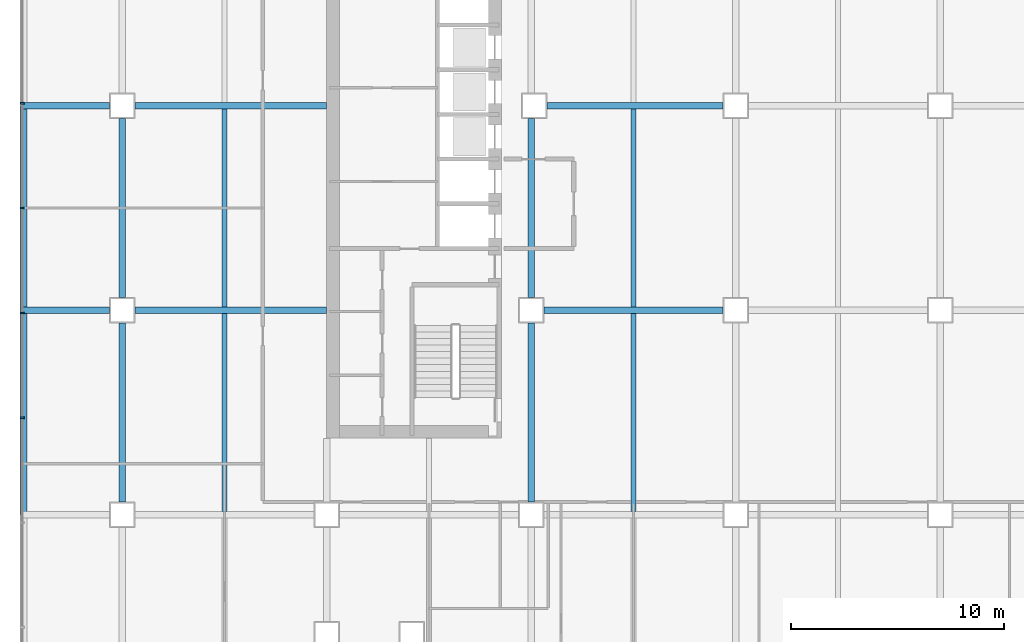
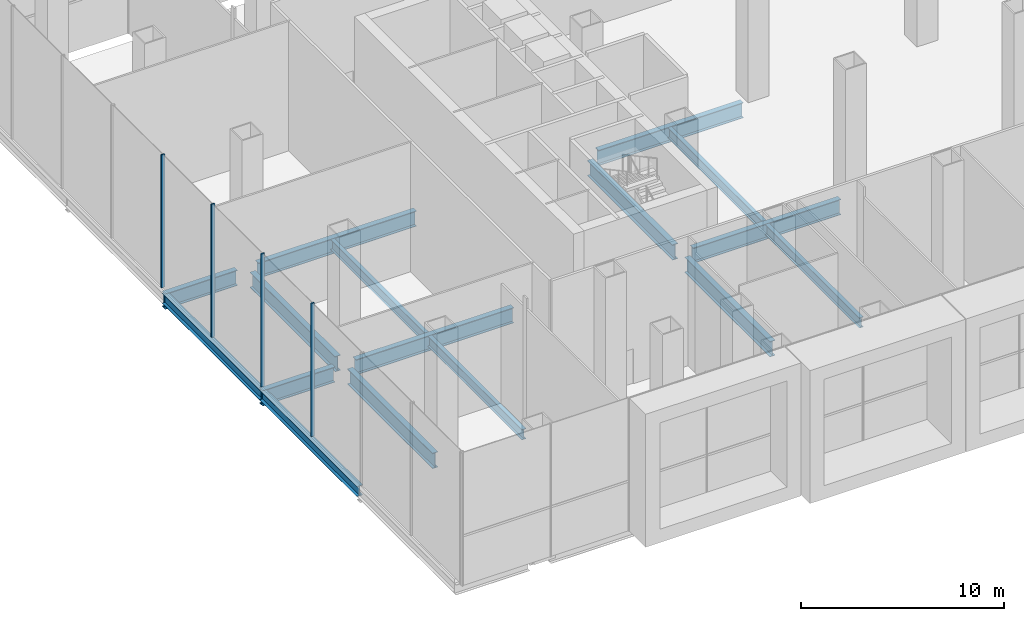
# One storey, part 4 of 24: 16 beams, 4 members, 1 element without a shape of its own.
"""IFC4 building model written with IfcOpenShell, lengths in metres."""

from ifc_helpers import new_model, si_unit, direction, frame, origin, origin_2d, place, context, subcontext, project, spatial, rectangle, i_section, extrude, material, material_profile, profile_set, type_object, element, aggregate, save


model = new_model("IFC4")

# Units and contexts
model_context = context("Model", 3, precision=1e-05, world=origin(), true_north=direction((0.0, 1.0)))
body_context = subcontext(model_context, "Body", "Model", "MODEL_VIEW")
ifc_project = project(units=[si_unit("LENGTHUNIT", "METRE"), si_unit("AREAUNIT", "SQUARE_METRE"), si_unit("VOLUMEUNIT", "CUBIC_METRE"), si_unit("PLANEANGLEUNIT", "RADIAN"), si_unit("MASSUNIT", "GRAM", prefix="KILO")], contexts=[model_context])

# Site, building, storey
site_placement = place(None, origin())
site = spatial("IfcSite", under=ifc_project, at=site_placement, CompositionType="ELEMENT")
building_placement = place(site_placement, origin())
building = spatial("IfcBuilding", under=site, at=building_placement, Name="Cobrizo Arcos Hotel Tower", CompositionType="ELEMENT")
storey_placement = place(building_placement, frame((0.0, 0.0, 7.5)))
storey = spatial("IfcBuildingStorey", under=building, at=storey_placement, Name="L01", CompositionType="ELEMENT", Elevation=7.5)

# Curtain wall, members
ifc_material_1 = material(Name="Aluminium 6063-T6 anodised bronze", Category="aluminium")
curtain_wall_type = type_object("IfcCurtainWallType", Name="CW-B podium glazing", PredefinedType="NOTDEFINED", material=ifc_material_1)
curtain_wall_placement = place(storey_placement, origin())
curtain_wall = element("IfcCurtainWall", 1, at=curtain_wall_placement, inside=storey, type_object=curtain_wall_type, Name="CW-B L01 W face", PredefinedType="NOTDEFINED")
ifc_material_profile_1 = material_profile(ifc_material_1, rectangle(XDim=0.199951171875, YDim=0.080078125, at=origin_2d()), Name="CW-B mullion 200x80")
ifc_profile_set_1 = profile_set([ifc_material_profile_1], Name="Aluminium 6063-T6 anodised bronze")
member_type = type_object("IfcMemberType", Name="CW-B mullion 200x80", PredefinedType="MULLION", material=ifc_profile_set_1)
member_1_placement = place(storey_placement, frame((-38.300048828125, 4.919921875, 0.0), z_axis=(0.0, 0.0, 1.0), x_axis=(-1.0, 0.0, 0.0)))
member_1 = element("IfcMember", 2, at=member_1_placement, type_object=member_type, Name="CW-B mullion 5", PredefinedType="MULLION", context=body_context, shape_type="SweptSolid", body=[
    extrude(rectangle(XDim=0.199951171875, YDim=0.080078125, at=origin_2d()), origin(), (0.0, 0.0, 1.0), 8.0),
])
member_2_placement = place(storey_placement, frame((-38.300048828125, 0.0, 0.0), z_axis=(0.0, 0.0, 1.0), x_axis=(-1.0, 0.0, 0.0)))
member_2 = element("IfcMember", 3, at=member_2_placement, type_object=member_type, Name="CW-B mullion 6", PredefinedType="MULLION", context=body_context, shape_type="SweptSolid", body=[
    extrude(rectangle(XDim=0.199951171875, YDim=0.080078125, at=origin_2d()), origin(), (0.0, 0.0, 1.0), 8.0),
])
member_3_placement = place(storey_placement, frame((-38.300048828125, -4.919921875, 0.0), z_axis=(0.0, 0.0, 1.0), x_axis=(-1.0, 0.0, 0.0)))
member_3 = element("IfcMember", 4, at=member_3_placement, type_object=member_type, Name="CW-B mullion 7", PredefinedType="MULLION", context=body_context, shape_type="SweptSolid", body=[
    extrude(rectangle(XDim=0.199951171875, YDim=0.080078125, at=origin_2d()), origin(), (0.0, 0.0, 1.0), 8.0),
])
member_4_placement = place(storey_placement, frame((-38.300048828125, -9.840087890625, 0.0), z_axis=(0.0, 0.0, 1.0), x_axis=(-1.0, 0.0, 0.0)))
member_4 = element("IfcMember", 5, at=member_4_placement, type_object=member_type, Name="CW-B mullion 8", PredefinedType="MULLION", context=body_context, shape_type="SweptSolid", body=[
    extrude(rectangle(XDim=0.199951171875, YDim=0.080078125, at=origin_2d()), origin(), (0.0, 0.0, 1.0), 8.0),
])
aggregate(curtain_wall, [member_1, member_2, member_3, member_4])

# Beams
ifc_material_2 = material(Name="Steel ASTM A992 Grade 50", Category="steel")
ifc_material_profile_2 = material_profile(ifc_material_2, i_section(OverallWidth=0.32763671875, OverallDepth=0.622314453125, WebThickness=0.015380859375, FlangeThickness=0.0244140625, at=origin_2d()), Name="W24X131")
ifc_profile_set_2 = profile_set([ifc_material_profile_2], Name="Steel ASTM A992 Grade 50")
beam_type_1 = type_object("IfcBeamType", Name="W24X131 edge beam", PredefinedType="BEAM", material=ifc_profile_set_2)
beam_1_placement = place(storey_placement, frame((-38.236083984375, 4.800048828125, -0.56103515625), z_axis=(0.0, -1.0, 0.0), x_axis=(1.0, 0.0, 0.0)))
element("IfcBeam", 6, at=beam_1_placement, inside=storey, type_object=beam_type_1, Name="Edge beam EB1, L01, no. 010", PredefinedType="BEAM", context=body_context, shape_type="SweptSolid", body=[
    extrude(i_section(OverallWidth=0.32763671875, OverallDepth=0.622314453125, WebThickness=0.015380859375, FlangeThickness=0.0244140625, at=origin_2d()), origin(), (0.0, 0.0, 1.0), 9.60009765625),
])
beam_2_placement = place(storey_placement, frame((-38.236083984375, -4.800048828125, -0.56103515625), z_axis=(0.0, -1.0, 0.0), x_axis=(1.0, 0.0, 0.0)))
element("IfcBeam", 7, at=beam_2_placement, inside=storey, type_object=beam_type_1, Name="Edge beam EB1, L01, no. 011", PredefinedType="BEAM", context=body_context, shape_type="SweptSolid", body=[
    extrude(i_section(OverallWidth=0.32763671875, OverallDepth=0.622314453125, WebThickness=0.015380859375, FlangeThickness=0.0244140625, at=origin_2d()), origin(), (0.0, 0.0, 1.0), 9.599853515625),
])
ifc_material_profile_3 = material_profile(ifc_material_2, i_section(OverallWidth=0.23046875, OverallDepth=0.6171875, WebThickness=0.01318359375, FlangeThickness=0.022216796875, at=origin_2d()), Name="W24X94")
ifc_profile_set_3 = profile_set([ifc_material_profile_3], Name="Steel ASTM A992 Grade 50")
beam_type_2 = type_object("IfcBeamType", Name="W24X94 podium joist", PredefinedType="JOIST", material=ifc_profile_set_3)
beam_3_placement = place(storey_placement, frame((-28.800048828125, -14.246337890625, -0.55859375), z_axis=(0.0, 1.0, 0.0), x_axis=(-1.0, 0.0, 0.0)))
element("IfcBeam", 8, at=beam_3_placement, inside=storey, type_object=beam_type_2, Name="Podium joist PJ1, L01, no. 002", PredefinedType="JOIST", context=body_context, shape_type="SweptSolid", body=[
    extrude(i_section(OverallWidth=0.23046875, OverallDepth=0.6171875, WebThickness=0.01318359375, FlangeThickness=0.022216796875, at=origin_2d()), origin(), (0.0, 0.0, 1.0), 9.292724609375),
])
beam_4_placement = place(storey_placement, frame((-28.800048828125, -4.646240234375, -0.55859375), z_axis=(0.0, 1.0, 0.0), x_axis=(-1.0, 0.0, 0.0)))
element("IfcBeam", 9, at=beam_4_placement, inside=storey, type_object=beam_type_2, Name="Podium joist PJ1, L01, no. 003", PredefinedType="JOIST", context=body_context, shape_type="SweptSolid", body=[
    extrude(i_section(OverallWidth=0.23046875, OverallDepth=0.6171875, WebThickness=0.01318359375, FlangeThickness=0.022216796875, at=origin_2d()), origin(), (0.0, 0.0, 1.0), 9.29248046875),
])
beam_5_placement = place(storey_placement, frame((-9.60009765625, -14.246337890625, -0.55859375), z_axis=(0.0, 1.0, 0.0), x_axis=(-1.0, 0.0, 0.0)))
element("IfcBeam", 10, at=beam_5_placement, inside=storey, type_object=beam_type_2, Name="Podium joist PJ1, L01, no. 011", PredefinedType="JOIST", context=body_context, shape_type="SweptSolid", body=[
    extrude(i_section(OverallWidth=0.23046875, OverallDepth=0.6171875, WebThickness=0.01318359375, FlangeThickness=0.022216796875, at=origin_2d()), origin(), (0.0, 0.0, 1.0), 9.292724609375),
])
beam_6_placement = place(storey_placement, frame((-9.60009765625, -4.646240234375, -0.55859375), z_axis=(0.0, 1.0, 0.0), x_axis=(-1.0, 0.0, 0.0)))
element("IfcBeam", 11, at=beam_6_placement, inside=storey, type_object=beam_type_2, Name="Podium joist PJ1, L01, no. 012", PredefinedType="JOIST", context=body_context, shape_type="SweptSolid", body=[
    extrude(i_section(OverallWidth=0.23046875, OverallDepth=0.6171875, WebThickness=0.01318359375, FlangeThickness=0.022216796875, at=origin_2d()), origin(), (0.0, 0.0, 1.0), 9.29248046875),
])
ifc_material_profile_4 = material_profile(ifc_material_2, i_section(OverallWidth=0.307373046875, OverallDepth=0.927001953125, WebThickness=0.01953125, FlangeThickness=0.031982421875, at=origin_2d()), Name="W36X194")
ifc_profile_set_4 = profile_set([ifc_material_profile_4], Name="Steel ASTM A992 Grade 50")
beam_type_3 = type_object("IfcBeamType", Name="W36X194 podium girder", PredefinedType="BEAM", material=ifc_profile_set_4)
beam_7_placement = place(storey_placement, frame((-38.31005859375, -4.800048828125, -0.71337890625), z_axis=(1.0, 0.0, 0.0), x_axis=(0.0, 1.0, 0.0)))
element("IfcBeam", 12, at=beam_7_placement, inside=storey, type_object=beam_type_3, Name="Podium girder PG1, L01, no. 010", PredefinedType="BEAM", context=body_context, shape_type="SweptSolid", body=[
    extrude(i_section(OverallWidth=0.307373046875, OverallDepth=0.927001953125, WebThickness=0.01953125, FlangeThickness=0.031982421875, at=origin_2d()), origin(), (0.0, 0.0, 1.0), 4.110107421875),
])
beam_8_placement = place(storey_placement, frame((-33.0, -4.800048828125, -0.71337890625), z_axis=(1.0, 0.0, 0.0), x_axis=(0.0, 1.0, 0.0)))
element("IfcBeam", 13, at=beam_8_placement, inside=storey, type_object=beam_type_3, Name="Podium girder PG1, L01, no. 011", PredefinedType="BEAM", context=body_context, shape_type="SweptSolid", body=[
    extrude(i_section(OverallWidth=0.307373046875, OverallDepth=0.927001953125, WebThickness=0.01953125, FlangeThickness=0.031982421875, at=origin_2d()), origin(), (0.0, 0.0, 1.0), 8.989990234375),
])
beam_9_placement = place(storey_placement, frame((-13.800048828125, -4.800048828125, -0.71337890625), z_axis=(1.0, 0.0, 0.0), x_axis=(0.0, 1.0, 0.0)))
element("IfcBeam", 14, at=beam_9_placement, inside=storey, type_object=beam_type_3, Name="Podium girder PG1, L01, no. 012", PredefinedType="BEAM", context=body_context, shape_type="SweptSolid", body=[
    extrude(i_section(OverallWidth=0.307373046875, OverallDepth=0.927001953125, WebThickness=0.01953125, FlangeThickness=0.031982421875, at=origin_2d()), origin(), (0.0, 0.0, 1.0), 8.400146484375),
])
beam_10_placement = place(storey_placement, frame((-38.31005859375, 4.800048828125, -0.71337890625), z_axis=(1.0, 0.0, 0.0), x_axis=(0.0, 1.0, 0.0)))
element("IfcBeam", 15, at=beam_10_placement, inside=storey, type_object=beam_type_3, Name="Podium girder PG1, L01, no. 018", PredefinedType="BEAM", context=body_context, shape_type="SweptSolid", body=[
    extrude(i_section(OverallWidth=0.307373046875, OverallDepth=0.927001953125, WebThickness=0.01953125, FlangeThickness=0.031982421875, at=origin_2d()), origin(), (0.0, 0.0, 1.0), 4.110107421875),
])
beam_11_placement = place(storey_placement, frame((-33.0, 4.800048828125, -0.71337890625), z_axis=(1.0, 0.0, 0.0), x_axis=(0.0, 1.0, 0.0)))
element("IfcBeam", 16, at=beam_11_placement, inside=storey, type_object=beam_type_3, Name="Podium girder PG1, L01, no. 019", PredefinedType="BEAM", context=body_context, shape_type="SweptSolid", body=[
    extrude(i_section(OverallWidth=0.307373046875, OverallDepth=0.927001953125, WebThickness=0.01953125, FlangeThickness=0.031982421875, at=origin_2d()), origin(), (0.0, 0.0, 1.0), 8.989990234375),
])
beam_12_placement = place(storey_placement, frame((-13.64990234375, 4.800048828125, -0.71337890625), z_axis=(1.0, 0.0, 0.0), x_axis=(0.0, 1.0, 0.0)))
element("IfcBeam", 17, at=beam_12_placement, inside=storey, type_object=beam_type_3, Name="Podium girder PG1, L01, no. 020", PredefinedType="BEAM", context=body_context, shape_type="SweptSolid", body=[
    extrude(i_section(OverallWidth=0.307373046875, OverallDepth=0.927001953125, WebThickness=0.01953125, FlangeThickness=0.031982421875, at=origin_2d()), origin(), (0.0, 0.0, 1.0), 8.25),
])
beam_13_placement = place(storey_placement, frame((-33.60009765625, -13.800048828125, -0.71337890625), z_axis=(0.0, 1.0, 0.0), x_axis=(-1.0, 0.0, 0.0)))
element("IfcBeam", 18, at=beam_13_placement, inside=storey, type_object=beam_type_3, Name="Podium girder PG1, L01, no. 036", PredefinedType="BEAM", context=body_context, shape_type="SweptSolid", body=[
    extrude(i_section(OverallWidth=0.307373046875, OverallDepth=0.927001953125, WebThickness=0.01953125, FlangeThickness=0.031982421875, at=origin_2d()), origin(), (0.0, 0.0, 1.0), 8.400146484375),
])
beam_14_placement = place(storey_placement, frame((-33.60009765625, -4.199951171875, -0.71337890625), z_axis=(0.0, 1.0, 0.0), x_axis=(-1.0, 0.0, 0.0)))
element("IfcBeam", 19, at=beam_14_placement, inside=storey, type_object=beam_type_3, Name="Podium girder PG1, L01, no. 037", PredefinedType="BEAM", context=body_context, shape_type="SweptSolid", body=[
    extrude(i_section(OverallWidth=0.307373046875, OverallDepth=0.927001953125, WebThickness=0.01953125, FlangeThickness=0.031982421875, at=origin_2d()), origin(), (0.0, 0.0, 1.0), 8.39990234375),
])
beam_15_placement = place(storey_placement, frame((-14.39990234375, -13.800048828125, -0.71337890625), z_axis=(0.0, 1.0, 0.0), x_axis=(-1.0, 0.0, 0.0)))
element("IfcBeam", 20, at=beam_15_placement, inside=storey, type_object=beam_type_3, Name="Podium girder PG1, L01, no. 047", PredefinedType="BEAM", context=body_context, shape_type="SweptSolid", body=[
    extrude(i_section(OverallWidth=0.307373046875, OverallDepth=0.927001953125, WebThickness=0.01953125, FlangeThickness=0.031982421875, at=origin_2d()), origin(), (0.0, 0.0, 1.0), 8.400146484375),
])
beam_16_placement = place(storey_placement, frame((-14.39990234375, -4.199951171875, -0.71337890625), z_axis=(0.0, 1.0, 0.0), x_axis=(-1.0, 0.0, 0.0)))
element("IfcBeam", 21, at=beam_16_placement, inside=storey, type_object=beam_type_3, Name="Podium girder PG1, L01, no. 048", PredefinedType="BEAM", context=body_context, shape_type="SweptSolid", body=[
    extrude(i_section(OverallWidth=0.307373046875, OverallDepth=0.927001953125, WebThickness=0.01953125, FlangeThickness=0.031982421875, at=origin_2d()), origin(), (0.0, 0.0, 1.0), 8.39990234375),
])

save(model, "model.ifc")
